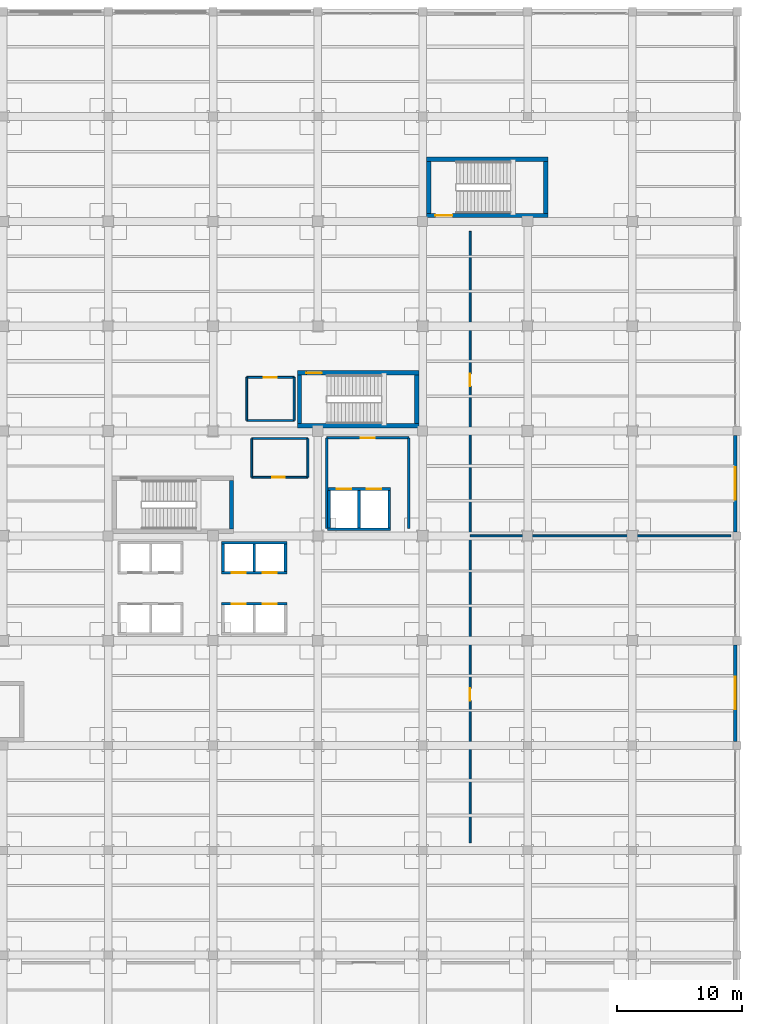
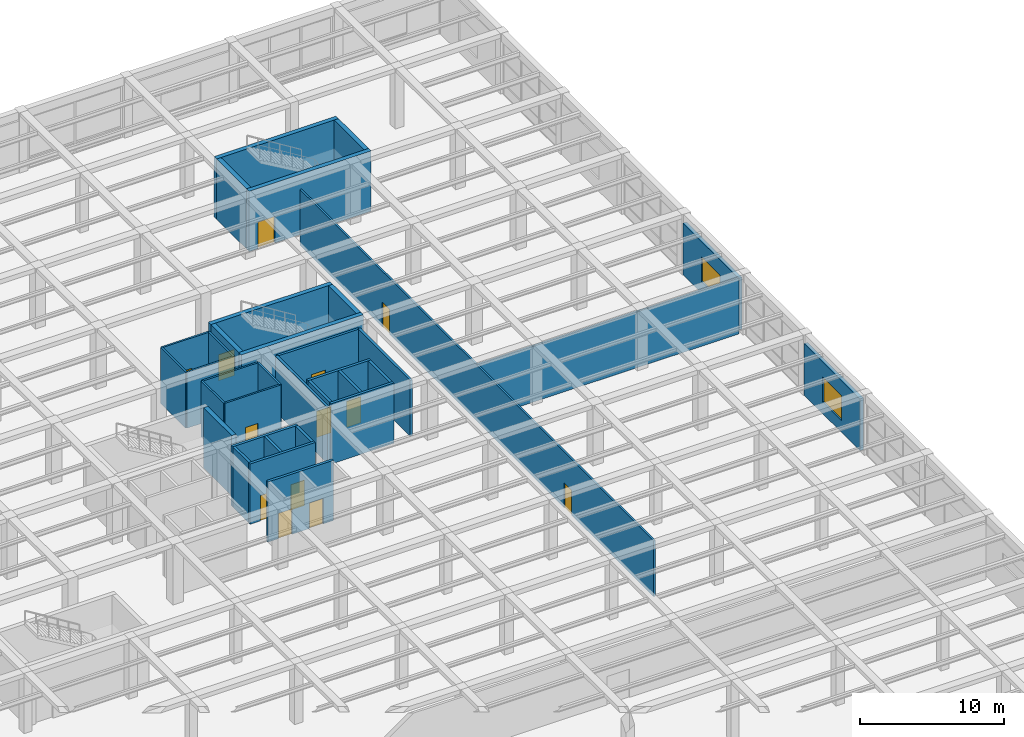
# One storey, part 82 of 96: 35 walls, 13 doors, 2 windows, 15 openings.
"""IFC4 building model written with IfcOpenShell, lengths in metres."""

from ifc_helpers import new_model, si_unit, direction, frame, frame_2d, origin, place, context, subcontext, project, spatial, rectangle, extrude, material, layer, layer_set, type_object, element, fill, save


model = new_model("IFC4")

# Units and contexts
model_context = context("Model", 3, precision=1e-05, world=origin(), true_north=direction((0.0, 1.0)))
body_context = subcontext(model_context, "Body", "Model", "MODEL_VIEW")
ifc_project = project(units=[si_unit("LENGTHUNIT", "METRE"), si_unit("AREAUNIT", "SQUARE_METRE"), si_unit("VOLUMEUNIT", "CUBIC_METRE"), si_unit("PLANEANGLEUNIT", "RADIAN"), si_unit("MASSUNIT", "GRAM", prefix="KILO")], contexts=[model_context])

# Site, building, storey
site_placement = place(None, origin())
site = spatial("IfcSite", under=ifc_project, at=site_placement, CompositionType="ELEMENT")
building_placement = place(site_placement, origin())
building = spatial("IfcBuilding", under=site, at=building_placement, Name="Almacenes y Pasaje Nevantli", CompositionType="ELEMENT")
storey_placement = place(building_placement, frame((0.0, 0.0, 6.0)))
storey = spatial("IfcBuildingStorey", under=building, at=storey_placement, Name="L02", CompositionType="ELEMENT", Elevation=6.0)

# Wall, opening, door
ifc_material_1 = material(Name="Fire-Rated Concrete Blockwork", Category="masonry")
ifc_layer_1 = layer(ifc_material_1, 0.199951171875)
ifc_layer_set_1 = layer_set([ifc_layer_1], Name="Fire-Rated Concrete Blockwork")
wall_type_1 = type_object("IfcWallType", Name="WL-COMP-200", PredefinedType="PARTITIONING", material=ifc_layer_set_1)
wall_1_placement = place(storey_placement, frame((135.10009765625, 83.449951171875, 0.0), z_axis=(0.0, 0.0, 1.0), x_axis=(1.0, 0.0, 0.0)))
wall_1 = element("IfcWall", 1, at=wall_1_placement, inside=storey, type_object=wall_type_1, Name="L02 Interior Partition Wall IW-200 #54", PredefinedType="PARTITIONING", context=body_context, shape_type="SweptSolid", body=[
    extrude(rectangle(XDim=6.599853515625, YDim=0.199951171875, at=frame_2d((3.2998046875, 0.0))), origin(), (0.0, 0.0, 1.0), 4.719970703125),
])
opening_1_placement = place(wall_1_placement, frame((2.75, 0.0, 0.0)))
opening_1 = element("IfcOpeningElement", 2, at=opening_1_placement, cuts=wall_1, Name="Opening ID-L02-027", PredefinedType="OPENING", context=body_context, shape_type="SweptSolid", body=[
    extrude(rectangle(XDim=1.10009765625, YDim=2.199951171875, at=frame_2d((0.550048828125, 1.10009765625))), frame((0.0, 0.10986328125, 0.0), z_axis=(0.0, -1.0, 0.0), x_axis=(1.0, 0.0, 0.0)), (0.0, 0.0, 1.0), 0.219970703125),
])
ifc_material_2 = material(Name="Galvanized Fire-Rated Steel", Category="steel")
door_type_1 = type_object("IfcDoorType", Name="DR-FD90-1100R", OperationType="SINGLE_SWING_RIGHT", PredefinedType="DOOR", material=ifc_material_2)
door_1_placement = place(opening_1_placement, origin())
door_1 = element("IfcDoor", 3, at=door_1_placement, inside=storey, type_object=door_type_1, Name="L02 Firefighting Lobby Door", OperationType="SINGLE_SWING_RIGHT", OverallHeight=2.199951171875, OverallWidth=1.10009765625, PredefinedType="DOOR", context=body_context, shape_type="SweptSolid", body=[
    extrude(rectangle(XDim=1.10009765625, YDim=2.199951171875, at=frame_2d((0.550048828125, 1.10009765625))), frame((0.0, 0.02490234375, 0.0), z_axis=(0.0, -1.0, 0.0), x_axis=(1.0, 0.0, 0.0)), (0.0, 0.0, 1.0), 0.050048828125),
])
fill(opening_1, door_1)

# Walls
for number, where, z_axis, x_axis, name in (
    (4, (135.10009765625, 76.199951171875, 0.0), (0.0, 0.0, 1.0), (0.0, 1.0, 0.0), "L02 Interior Partition Wall IW-200 #55"),
    (5, (141.699951171875, 76.199951171875, 0.0), (0.0, 0.0, 1.0), (0.0, 1.0, 0.0), "L02 Interior Partition Wall IW-200 #56"),
):
    element("IfcWall", number, at=place(storey_placement, frame(where, z_axis=z_axis, x_axis=x_axis)), inside=storey, type_object=wall_type_1, Name=name, PredefinedType="PARTITIONING", context=body_context, shape_type="SweptSolid", body=[
        extrude(rectangle(XDim=7.25, YDim=0.199951171875, at=frame_2d((3.625, 0.0))), origin(), (0.0, 0.0, 1.0), 4.719970703125),
    ])
ifc_material_3 = material(Name="Concrete C45/55", Category="concrete")
ifc_layer_2 = layer(ifc_material_3, 0.35009765625)
ifc_layer_set_2 = layer_set([ifc_layer_2], Name="Concrete C45/55")
wall_type_2 = type_object("IfcWallType", Name="WL-CORE-350", PredefinedType="SHEAR", material=ifc_layer_set_2)
wall_2_placement = place(storey_placement, frame((127.47509765625, 76.14990234375, 0.0), z_axis=(0.0, 0.0, 1.0), x_axis=(0.0, 1.0, 0.0)))
element("IfcWall", 6, at=wall_2_placement, inside=storey, type_object=wall_type_2, Name="L02 Exit Stair ST-01 East Core Shear Wall", PredefinedType="SHEAR", context=body_context, shape_type="SweptSolid", body=[
    extrude(rectangle(XDim=3.89013671875, YDim=0.35009765625, at=frame_2d((1.945068359375, 0.0))), origin(), (0.0, 0.0, 1.0), 5.10009765625),
])
wall_3_placement = place(storey_placement, frame((132.75, 84.425048828125, 0.0), z_axis=(0.0, 0.0, 1.0), x_axis=(1.0, 0.0, 0.0)))
element("IfcWall", 7, at=wall_3_placement, inside=storey, type_object=wall_type_2, Name="L02 Exit Stair ST-02 South Core Shear Wall", PredefinedType="SHEAR", context=body_context, shape_type="SweptSolid", body=[
    extrude(rectangle(XDim=9.75, YDim=0.35009765625, at=frame_2d((4.875, 0.0))), origin(), (0.0, 0.0, 1.0), 5.10009765625),
])

# Wall, opening, door
wall_4_placement = place(storey_placement, frame((132.75, 88.6650390625, 0.0), z_axis=(0.0, 0.0, 1.0), x_axis=(1.0, 0.0, 0.0)))
wall_4 = element("IfcWall", 8, at=wall_4_placement, inside=storey, type_object=wall_type_2, Name="L02 Exit Stair ST-02 North Core Shear Wall", PredefinedType="SHEAR", context=body_context, shape_type="SweptSolid", body=[
    extrude(rectangle(XDim=9.75, YDim=0.35009765625, at=frame_2d((4.875, 0.0))), origin(), (0.0, 0.0, 1.0), 5.10009765625),
])
opening_2_placement = place(wall_4_placement, frame((0.719970703125, 0.0, 0.0)))
opening_2 = element("IfcOpeningElement", 9, at=opening_2_placement, cuts=wall_4, Name="Opening SD-02-L02", PredefinedType="OPENING", context=body_context, shape_type="SweptSolid", body=[
    extrude(rectangle(XDim=1.25, YDim=2.199951171875, at=frame_2d((0.625, 1.10009765625))), frame((0.0, 0.18505859375, 0.0), z_axis=(0.0, -1.0, 0.0), x_axis=(1.0, 0.0, 0.0)), (0.0, 0.0, 1.0), 0.3701171875),
])
ifc_material_4 = material(Name="Galvanized Fire-Rated Steel", Category="steel")
door_type_2 = type_object("IfcDoorType", Name="DR-STAIR-1250R", OperationType="SINGLE_SWING_RIGHT", PredefinedType="DOOR", material=ifc_material_4)
door_2_placement = place(opening_2_placement, origin())
door_2 = element("IfcDoor", 10, at=door_2_placement, inside=storey, type_object=door_type_2, Name="L02 Smokeproof Exit Stair ST-02 Fire Door", OperationType="SINGLE_SWING_RIGHT", OverallHeight=2.199951171875, OverallWidth=1.25, PredefinedType="DOOR", context=body_context, shape_type="SweptSolid", body=[
    extrude(rectangle(XDim=1.25, YDim=2.199951171875, at=frame_2d((0.625, 1.10009765625))), frame((0.0, 0.02490234375, 0.0), z_axis=(0.0, -1.0, 0.0), x_axis=(1.0, 0.0, 0.0)), (0.0, 0.0, 1.0), 0.050048828125),
])
fill(opening_2, door_2)

# Walls
for number, where, z_axis, x_axis, name in (
    (11, (132.925048828125, 84.60009765625, 0.0), (0.0, 0.0, 1.0), (0.0, 1.0, 0.0), "L02 Exit Stair ST-02 West Core Shear Wall"),
    (12, (142.324951171875, 84.60009765625, 0.0), (0.0, 0.0, 1.0), (0.0, 1.0, 0.0), "L02 Exit Stair ST-02 East Core Shear Wall"),
):
    element("IfcWall", number, at=place(storey_placement, frame(where, z_axis=z_axis, x_axis=x_axis)), inside=storey, type_object=wall_type_2, Name=name, PredefinedType="SHEAR", context=body_context, shape_type="SweptSolid", body=[
        extrude(rectangle(XDim=3.889892578125, YDim=0.35009765625, at=frame_2d((1.94482421875, 0.0))), origin(), (0.0, 0.0, 1.0), 5.10009765625),
    ])

# Wall, opening, door
wall_5_placement = place(storey_placement, frame((143.10009765625, 101.27490234375, 0.0), z_axis=(0.0, 0.0, 1.0), x_axis=(1.0, 0.0, 0.0)))
wall_5 = element("IfcWall", 13, at=wall_5_placement, inside=storey, type_object=wall_type_2, Name="L02 Exit Stair ST-07 South Core Shear Wall", PredefinedType="SHEAR", context=body_context, shape_type="SweptSolid", body=[
    extrude(rectangle(XDim=9.75, YDim=0.35009765625, at=frame_2d((4.875, 0.0))), origin(), (0.0, 0.0, 1.0), 5.10009765625),
])
opening_3_placement = place(wall_5_placement, frame((0.719970703125, 0.0, 0.0)))
opening_3 = element("IfcOpeningElement", 14, at=opening_3_placement, cuts=wall_5, Name="Opening SD-07-L02", PredefinedType="OPENING", context=body_context, shape_type="SweptSolid", body=[
    extrude(rectangle(XDim=1.35009765625, YDim=2.25, at=frame_2d((0.675048828125, 1.125))), frame((0.0, 0.18505859375, 0.0), z_axis=(0.0, -1.0, 0.0), x_axis=(1.0, 0.0, 0.0)), (0.0, 0.0, 1.0), 0.3701171875),
])
ifc_material_5 = material(Name="Galvanized Fire-Rated Steel", Category="steel")
door_type_3 = type_object("IfcDoorType", Name="DR-STAIR-1350", OperationType="SINGLE_SWING_LEFT", PredefinedType="DOOR", material=ifc_material_5)
door_3_placement = place(opening_3_placement, origin())
door_3 = element("IfcDoor", 15, at=door_3_placement, inside=storey, type_object=door_type_3, Name="L02 Smokeproof Exit Stair ST-07 Fire Door", OperationType="SINGLE_SWING_LEFT", OverallHeight=2.25, OverallWidth=1.35009765625, PredefinedType="DOOR", context=body_context, shape_type="SweptSolid", body=[
    extrude(rectangle(XDim=1.35009765625, YDim=2.25, at=frame_2d((0.675048828125, 1.125))), frame((0.0, 0.02490234375, 0.0), z_axis=(0.0, -1.0, 0.0), x_axis=(1.0, 0.0, 0.0)), (0.0, 0.0, 1.0), 0.050048828125),
])
fill(opening_3, door_3)

# Walls
wall_6_placement = place(storey_placement, frame((143.10009765625, 105.77490234375, 0.0), z_axis=(0.0, 0.0, 1.0), x_axis=(1.0, 0.0, 0.0)))
element("IfcWall", 16, at=wall_6_placement, inside=storey, type_object=wall_type_2, Name="L02 Exit Stair ST-07 North Core Shear Wall", PredefinedType="SHEAR", context=body_context, shape_type="SweptSolid", body=[
    extrude(rectangle(XDim=9.75, YDim=0.35009765625, at=frame_2d((4.875, 0.0))), origin(), (0.0, 0.0, 1.0), 5.10009765625),
])
for number, where, z_axis, x_axis, name in (
    (17, (143.27490234375, 101.449951171875, 0.0), (0.0, 0.0, 1.0), (0.0, 1.0, 0.0), "L02 Exit Stair ST-07 West Core Shear Wall"),
    (18, (152.675048828125, 101.449951171875, 0.0), (0.0, 0.0, 1.0), (0.0, 1.0, 0.0), "L02 Exit Stair ST-07 East Core Shear Wall"),
):
    element("IfcWall", number, at=place(storey_placement, frame(where, z_axis=z_axis, x_axis=x_axis)), inside=storey, type_object=wall_type_2, Name=name, PredefinedType="SHEAR", context=body_context, shape_type="SweptSolid", body=[
        extrude(rectangle(XDim=4.150146484375, YDim=0.35009765625, at=frame_2d((2.0751953125, 0.0))), origin(), (0.0, 0.0, 1.0), 5.10009765625),
    ])

# Wall, opening, window
ifc_material_6 = material(Name="Architectural Precast Concrete C35/45 Spandrel Wall", Category="concrete")
ifc_layer_3 = layer(ifc_material_6, 0.280029296875)
ifc_layer_set_3 = layer_set([ifc_layer_3], Name="Architectural Precast Concrete C35/45 Spandrel Wall")
wall_type_3 = type_object("IfcWallType", Name="WL-EXT-CANTERA-280", PredefinedType="SOLIDWALL", material=ifc_layer_set_3)
wall_7_placement = place(storey_placement, frame((167.85009765625, 59.1279296875, 0.0), z_axis=(0.0, 0.0, 1.0), x_axis=(0.0, 1.0, 0.0)))
wall_7 = element("IfcWall", 19, at=wall_7_placement, inside=storey, type_object=wall_type_3, Name="L02 East Facade Wall Bay 8", PredefinedType="SOLIDWALL", context=body_context, shape_type="SweptSolid", body=[
    extrude(rectangle(XDim=7.719970703125, YDim=0.280029296875, at=frame_2d((3.85986328125, 0.0))), origin(), (0.0, 0.0, 1.0), 4.3798828125),
])
opening_4_placement = place(wall_7_placement, frame((2.572021484375, 0.0, 1.0)))
opening_4 = element("IfcOpeningElement", 20, at=opening_4_placement, cuts=wall_7, Name="Opening WT-13-086", PredefinedType="OPENING", context=body_context, shape_type="SweptSolid", body=[
    extrude(rectangle(XDim=2.60009765625, YDim=2.10009765625, at=frame_2d((1.300048828125, 1.050048828125))), frame((0.0, 0.14990234375, 0.0), z_axis=(0.0, -1.0, 0.0), x_axis=(1.0, 0.0, 0.0)), (0.0, 0.0, 1.0), 0.300048828125),
])
ifc_material_7 = material(Name="Thermally Broken Aluminium and Low-E Double Glazing", Category="aluminium")
window_type = type_object("IfcWindowType", Name="WN-POD-2600x2100", PartitioningType="SINGLE_PANEL", PredefinedType="WINDOW", material=ifc_material_7)
window_1_placement = place(opening_4_placement, origin())
window_1 = element("IfcWindow", 21, at=window_1_placement, inside=storey, type_object=window_type, Name="L02 Exterior Window WT-13 #86", OverallHeight=2.10009765625, OverallWidth=2.60009765625, PartitioningType="SINGLE_PANEL", PredefinedType="WINDOW", context=body_context, shape_type="SweptSolid", body=[
    extrude(rectangle(XDim=2.60009765625, YDim=2.10009765625, at=frame_2d((1.300048828125, 1.050048828125))), frame((0.0, 0.030029296875, 0.0), z_axis=(0.0, -1.0, 0.0), x_axis=(1.0, 0.0, 0.0)), (0.0, 0.0, 1.0), 0.06005859375),
])
fill(opening_4, window_1)

wall_8_placement = place(storey_placement, frame((167.85009765625, 75.927978515625, 0.0), z_axis=(0.0, 0.0, 1.0), x_axis=(0.0, 1.0, 0.0)))
wall_8 = element("IfcWall", 22, at=wall_8_placement, inside=storey, type_object=wall_type_3, Name="L02 East Facade Wall Bay 10", PredefinedType="SOLIDWALL", context=body_context, shape_type="SweptSolid", body=[
    extrude(rectangle(XDim=7.719970703125, YDim=0.280029296875, at=frame_2d((3.85986328125, 0.0))), origin(), (0.0, 0.0, 1.0), 4.3798828125),
])
opening_5_placement = place(wall_8_placement, frame((2.572021484375, 0.0, 1.0)))
opening_5 = element("IfcOpeningElement", 23, at=opening_5_placement, cuts=wall_8, Name="Opening WT-13-087", PredefinedType="OPENING", context=body_context, shape_type="SweptSolid", body=[
    extrude(rectangle(XDim=2.60009765625, YDim=2.10009765625, at=frame_2d((1.300048828125, 1.050048828125))), frame((0.0, 0.14990234375, 0.0), z_axis=(0.0, -1.0, 0.0), x_axis=(1.0, 0.0, 0.0)), (0.0, 0.0, 1.0), 0.300048828125),
])
window_2_placement = place(opening_5_placement, origin())
window_2 = element("IfcWindow", 24, at=window_2_placement, inside=storey, type_object=window_type, Name="L02 Exterior Window WT-13 #87", OverallHeight=2.10009765625, OverallWidth=2.60009765625, PartitioningType="SINGLE_PANEL", PredefinedType="WINDOW", context=body_context, shape_type="SweptSolid", body=[
    extrude(rectangle(XDim=2.60009765625, YDim=2.10009765625, at=frame_2d((1.300048828125, 1.050048828125))), frame((0.0, 0.030029296875, 0.0), z_axis=(0.0, -1.0, 0.0), x_axis=(1.0, 0.0, 0.0)), (0.0, 0.0, 1.0), 0.06005859375),
])
fill(opening_5, window_2)

# Wall, opening, door
ifc_material_8 = material(Name="Acoustic Steel-Stud Gypsum Partition", Category="steel")
ifc_layer_4 = layer(ifc_material_8, 0.14990234375)
ifc_layer_set_4 = layer_set([ifc_layer_4], Name="Acoustic Steel-Stud Gypsum Partition")
wall_type_4 = type_object("IfcWallType", Name="WL-PART-150", PredefinedType="PARTITIONING", material=ifc_layer_set_4)
wall_9_placement = place(storey_placement, frame((129.10009765625, 80.300048828125, 0.0), z_axis=(0.0, 0.0, 1.0), x_axis=(1.0, 0.0, 0.0)))
wall_9 = element("IfcWall", 25, at=wall_9_placement, inside=storey, type_object=wall_type_4, Name="L02 Interior Partition Wall IW-150 #57", PredefinedType="PARTITIONING", context=body_context, shape_type="SweptSolid", body=[
    extrude(rectangle(XDim=4.5, YDim=0.14990234375, at=frame_2d((2.25, 0.0))), origin(), (0.0, 0.0, 1.0), 4.719970703125),
])
opening_6_placement = place(wall_9_placement, frame((1.64990234375, 0.0, 0.0)))
opening_6 = element("IfcOpeningElement", 26, at=opening_6_placement, cuts=wall_9, Name="Opening ID-L02-028", PredefinedType="OPENING", context=body_context, shape_type="SweptSolid", body=[
    extrude(rectangle(XDim=1.0, YDim=2.10009765625, at=frame_2d((0.5, 1.050048828125))), frame((0.0, 0.0849609375, 0.0), z_axis=(0.0, -1.0, 0.0), x_axis=(1.0, 0.0, 0.0)), (0.0, 0.0, 1.0), 0.169921875),
])
ifc_material_9 = material(Name="Powder-Coated Hollow Metal", Category="steel")
door_type_4 = type_object("IfcDoorType", Name="DR-INT-1000", OperationType="SINGLE_SWING_LEFT", PredefinedType="DOOR", material=ifc_material_9)
door_4_placement = place(opening_6_placement, origin())
door_4 = element("IfcDoor", 27, at=door_4_placement, inside=storey, type_object=door_type_4, Name="L02 Staff and Public WC Door", OperationType="SINGLE_SWING_LEFT", OverallHeight=2.10009765625, OverallWidth=1.0, PredefinedType="DOOR", context=body_context, shape_type="SweptSolid", body=[
    extrude(rectangle(XDim=1.0, YDim=2.10009765625, at=frame_2d((0.5, 1.050048828125))), frame((0.0, 0.02490234375, 0.0), z_axis=(0.0, -1.0, 0.0), x_axis=(1.0, 0.0, 0.0)), (0.0, 0.0, 1.0), 0.050048828125),
])
fill(opening_6, door_4)

# Walls
wall_10_placement = place(storey_placement, frame((129.10009765625, 83.39990234375, 0.0), z_axis=(0.0, 0.0, 1.0), x_axis=(1.0, 0.0, 0.0)))
element("IfcWall", 28, at=wall_10_placement, inside=storey, type_object=wall_type_4, Name="L02 Interior Partition Wall IW-150 #58", PredefinedType="PARTITIONING", context=body_context, shape_type="SweptSolid", body=[
    extrude(rectangle(XDim=4.5, YDim=0.14990234375, at=frame_2d((2.25, 0.0))), origin(), (0.0, 0.0, 1.0), 4.719970703125),
])
for number, where, z_axis, x_axis, name in (
    (29, (129.10009765625, 80.300048828125, 0.0), (0.0, 0.0, 1.0), (0.0, 1.0, 0.0), "L02 Interior Partition Wall IW-150 #59"),
    (30, (133.60009765625, 80.300048828125, 0.0), (0.0, 0.0, 1.0), (0.0, 1.0, 0.0), "L02 Interior Partition Wall IW-150 #60"),
):
    element("IfcWall", number, at=place(storey_placement, frame(where, z_axis=z_axis, x_axis=x_axis)), inside=storey, type_object=wall_type_4, Name=name, PredefinedType="PARTITIONING", context=body_context, shape_type="SweptSolid", body=[
        extrude(rectangle(XDim=3.099853515625, YDim=0.14990234375, at=frame_2d((1.5498046875, 0.0))), origin(), (0.0, 0.0, 1.0), 4.719970703125),
    ])

# Wall, opening, door
wall_11_placement = place(storey_placement, frame((128.699951171875, 88.300048828125, 0.0), z_axis=(0.0, 0.0, 1.0), x_axis=(1.0, 0.0, 0.0)))
wall_11 = element("IfcWall", 31, at=wall_11_placement, inside=storey, type_object=wall_type_4, Name="L02 Interior Partition Wall IW-150 #61", PredefinedType="PARTITIONING", context=body_context, shape_type="SweptSolid", body=[
    extrude(rectangle(XDim=3.800048828125, YDim=0.14990234375, at=frame_2d((1.89990234375, 0.0))), origin(), (0.0, 0.0, 1.0), 4.719970703125),
])
opening_7_placement = place(wall_11_placement, frame((1.35009765625, 0.0, 0.0)))
opening_7 = element("IfcOpeningElement", 32, at=opening_7_placement, cuts=wall_11, Name="Opening ID-L02-029", PredefinedType="OPENING", context=body_context, shape_type="SweptSolid", body=[
    extrude(rectangle(XDim=1.050048828125, YDim=2.14990234375, at=frame_2d((0.52490234375, 1.074951171875))), frame((0.0, 0.0849609375, 0.0), z_axis=(0.0, -1.0, 0.0), x_axis=(1.0, 0.0, 0.0)), (0.0, 0.0, 1.0), 0.169921875),
])
ifc_material_10 = material(Name="Powder-Coated Hollow Metal", Category="steel")
door_type_5 = type_object("IfcDoorType", Name="DR-ACC-1050", OperationType="SINGLE_SWING_RIGHT", PredefinedType="DOOR", material=ifc_material_10)
door_5_placement = place(opening_7_placement, origin())
door_5 = element("IfcDoor", 33, at=door_5_placement, inside=storey, type_object=door_type_5, Name="L02 Accessible WC Door", OperationType="SINGLE_SWING_RIGHT", OverallHeight=2.14990234375, OverallWidth=1.050048828125, PredefinedType="DOOR", context=body_context, shape_type="SweptSolid", body=[
    extrude(rectangle(XDim=1.050048828125, YDim=2.14990234375, at=frame_2d((0.52490234375, 1.074951171875))), frame((0.0, 0.02490234375, 0.0), z_axis=(0.0, -1.0, 0.0), x_axis=(1.0, 0.0, 0.0)), (0.0, 0.0, 1.0), 0.050048828125),
])
fill(opening_7, door_5)

# Walls
wall_12_placement = place(storey_placement, frame((128.699951171875, 84.85009765625, 0.0), z_axis=(0.0, 0.0, 1.0), x_axis=(1.0, 0.0, 0.0)))
element("IfcWall", 34, at=wall_12_placement, inside=storey, type_object=wall_type_4, Name="L02 Interior Partition Wall IW-150 #62", PredefinedType="PARTITIONING", context=body_context, shape_type="SweptSolid", body=[
    extrude(rectangle(XDim=3.800048828125, YDim=0.14990234375, at=frame_2d((1.89990234375, 0.0))), origin(), (0.0, 0.0, 1.0), 4.719970703125),
])
for number, where, z_axis, x_axis, name in (
    (35, (128.699951171875, 84.85009765625, 0.0), (0.0, 0.0, 1.0), (0.0, 1.0, 0.0), "L02 Interior Partition Wall IW-150 #63"),
    (36, (132.5, 84.85009765625, 0.0), (0.0, 0.0, 1.0), (0.0, 1.0, 0.0), "L02 Interior Partition Wall IW-150 #64"),
):
    element("IfcWall", number, at=place(storey_placement, frame(where, z_axis=z_axis, x_axis=x_axis)), inside=storey, type_object=wall_type_4, Name=name, PredefinedType="PARTITIONING", context=body_context, shape_type="SweptSolid", body=[
        extrude(rectangle(XDim=3.449951171875, YDim=0.14990234375, at=frame_2d((1.72509765625, 0.0))), origin(), (0.0, 0.0, 1.0), 4.719970703125),
    ])

# Wall, openings, doors
wall_13_placement = place(storey_placement, frame((146.60009765625, 51.0, 0.0), z_axis=(0.0, 0.0, 1.0), x_axis=(0.0, 1.0, 0.0)))
wall_13 = element("IfcWall", 37, at=wall_13_placement, inside=storey, type_object=wall_type_4, Name="L02 Interior Partition Wall IW-150 #66", PredefinedType="PARTITIONING", context=body_context, shape_type="SweptSolid", body=[
    extrude(rectangle(XDim=49.0, YDim=0.14990234375, at=frame_2d((24.5, 0.0))), origin(), (0.0, 0.0, 1.0), 4.719970703125),
])
opening_8_placement = place(wall_13_placement, frame((11.39990234375, 0.0, 0.0)))
opening_8 = element("IfcOpeningElement", 38, at=opening_8_placement, cuts=wall_13, Name="Opening ID-L02-032", PredefinedType="OPENING", context=body_context, shape_type="SweptSolid", body=[
    extrude(rectangle(XDim=1.0, YDim=2.10009765625, at=frame_2d((0.5, 1.050048828125))), frame((0.0, 0.0849609375, 0.0), z_axis=(0.0, -1.0, 0.0), x_axis=(1.0, 0.0, 0.0)), (0.0, 0.0, 1.0), 0.169921875),
])
opening_9_placement = place(wall_13_placement, frame((36.60009765625, 0.0, 0.0)))
opening_9 = element("IfcOpeningElement", 39, at=opening_9_placement, cuts=wall_13, Name="Opening ID-L02-033", PredefinedType="OPENING", context=body_context, shape_type="SweptSolid", body=[
    extrude(rectangle(XDim=1.0, YDim=2.10009765625, at=frame_2d((0.5, 1.050048828125))), frame((0.0, 0.0849609375, 0.0), z_axis=(0.0, -1.0, 0.0), x_axis=(1.0, 0.0, 0.0)), (0.0, 0.0, 1.0), 0.169921875),
])
door_6_placement = place(opening_8_placement, origin())
door_6 = element("IfcDoor", 40, at=door_6_placement, inside=storey, type_object=door_type_4, Name="L02 L02 Operations Office Door", OperationType="SINGLE_SWING_LEFT", OverallHeight=2.10009765625, OverallWidth=1.0, PredefinedType="DOOR", context=body_context, shape_type="SweptSolid", body=[
    extrude(rectangle(XDim=1.0, YDim=2.10009765625, at=frame_2d((0.5, 1.050048828125))), frame((0.0, 0.02490234375, 0.0), z_axis=(0.0, -1.0, 0.0), x_axis=(1.0, 0.0, 0.0)), (0.0, 0.0, 1.0), 0.050048828125),
])
fill(opening_8, door_6)
ifc_material_11 = material(Name="Powder-Coated Hollow Metal", Category="steel")
door_type_6 = type_object("IfcDoorType", Name="DR-INT-1000R", OperationType="SINGLE_SWING_RIGHT", PredefinedType="DOOR", material=ifc_material_11)
door_7_placement = place(opening_9_placement, origin())
door_7 = element("IfcDoor", 41, at=door_7_placement, inside=storey, type_object=door_type_6, Name="L02 L02 Merchandising Office Door", OperationType="SINGLE_SWING_RIGHT", OverallHeight=2.10009765625, OverallWidth=1.0, PredefinedType="DOOR", context=body_context, shape_type="SweptSolid", body=[
    extrude(rectangle(XDim=1.0, YDim=2.10009765625, at=frame_2d((0.5, 1.050048828125))), frame((0.0, 0.02490234375, 0.0), z_axis=(0.0, -1.0, 0.0), x_axis=(1.0, 0.0, 0.0)), (0.0, 0.0, 1.0), 0.050048828125),
])
fill(opening_9, door_7)

# Wall
wall_14_placement = place(storey_placement, frame((146.60009765625, 75.60009765625, 0.0), z_axis=(0.0, 0.0, 1.0), x_axis=(1.0, 0.0, 0.0)))
element("IfcWall", 42, at=wall_14_placement, inside=storey, type_object=wall_type_4, Name="L02 Interior Partition Wall IW-150 #67", PredefinedType="PARTITIONING", context=body_context, shape_type="SweptSolid", body=[
    extrude(rectangle(XDim=20.89990234375, YDim=0.14990234375, at=frame_2d((10.449951171875, 0.0))), origin(), (0.0, 0.0, 1.0), 4.719970703125),
])

# Wall, openings, doors
ifc_material_12 = material(Name="Concrete C45/55", Category="concrete")
ifc_layer_5 = layer(ifc_material_12, 0.2099609375)
ifc_layer_set_5 = layer_set([ifc_layer_5], Name="Concrete C45/55")
wall_type_5 = type_object("IfcWallType", Name="WL-SHAFT-210", PredefinedType="SHEAR", material=ifc_layer_set_5)
wall_15_placement = place(storey_placement, frame((126.68994140625, 70.155029296875, 0.0), z_axis=(0.0, 0.0, 1.0), x_axis=(1.0, 0.0, 0.0)))
wall_15 = element("IfcWall", 43, at=wall_15_placement, inside=storey, type_object=wall_type_5, Name="L02 Lift Hoistway ELV-P01-ELV-P02 North Wall", PredefinedType="SHEAR", context=body_context, shape_type="SweptSolid", body=[
    extrude(rectangle(XDim=5.219970703125, YDim=0.2099609375, at=frame_2d((2.60986328125, 0.0))), origin(), (0.0, 0.0, 1.0), 5.10009765625),
])
opening_10_placement = place(wall_15_placement, frame((0.81005859375, 0.0, 0.0)))
opening_10 = element("IfcOpeningElement", 44, at=opening_10_placement, cuts=wall_15, Name="Opening LD-P01-L02", PredefinedType="OPENING", context=body_context, shape_type="SweptSolid", body=[
    extrude(rectangle(XDim=1.10009765625, YDim=2.14990234375, at=frame_2d((0.550048828125, 1.074951171875))), frame((0.0, 0.114990234375, 0.0), z_axis=(0.0, -1.0, 0.0), x_axis=(1.0, 0.0, 0.0)), (0.0, 0.0, 1.0), 0.22998046875),
])
opening_11_placement = place(wall_15_placement, frame((3.31005859375, 0.0, 0.0)))
opening_11 = element("IfcOpeningElement", 45, at=opening_11_placement, cuts=wall_15, Name="Opening LD-P02-L02", PredefinedType="OPENING", context=body_context, shape_type="SweptSolid", body=[
    extrude(rectangle(XDim=1.10009765625, YDim=2.14990234375, at=frame_2d((0.550048828125, 1.074951171875))), frame((0.0, 0.114990234375, 0.0), z_axis=(0.0, -1.0, 0.0), x_axis=(1.0, 0.0, 0.0)), (0.0, 0.0, 1.0), 0.22998046875),
])
ifc_material_13 = material(Name="Brushed Stainless Steel", Category="steel")
door_type_7 = type_object("IfcDoorType", Name="DR-LD-PASS-1100", OperationType="DOUBLE_DOOR_SLIDING", PredefinedType="DOOR", material=ifc_material_13)
door_8_placement = place(opening_10_placement, origin())
door_8 = element("IfcDoor", 46, at=door_8_placement, inside=storey, type_object=door_type_7, Name="Lift Landing Door ELV-P01 L02", OperationType="DOUBLE_DOOR_SLIDING", OverallHeight=2.14990234375, OverallWidth=1.10009765625, PredefinedType="DOOR", context=body_context, shape_type="SweptSolid", body=[
    extrude(rectangle(XDim=1.10009765625, YDim=2.14990234375, at=frame_2d((0.550048828125, 1.074951171875))), frame((0.0, 0.02490234375, 0.0), z_axis=(0.0, -1.0, 0.0), x_axis=(1.0, 0.0, 0.0)), (0.0, 0.0, 1.0), 0.050048828125),
])
fill(opening_10, door_8)
door_9_placement = place(opening_11_placement, origin())
door_9 = element("IfcDoor", 47, at=door_9_placement, inside=storey, type_object=door_type_7, Name="Lift Landing Door ELV-P02 L02", OperationType="DOUBLE_DOOR_SLIDING", OverallHeight=2.14990234375, OverallWidth=1.10009765625, PredefinedType="DOOR", context=body_context, shape_type="SweptSolid", body=[
    extrude(rectangle(XDim=1.10009765625, YDim=2.14990234375, at=frame_2d((0.550048828125, 1.074951171875))), frame((0.0, 0.02490234375, 0.0), z_axis=(0.0, -1.0, 0.0), x_axis=(1.0, 0.0, 0.0)), (0.0, 0.0, 1.0), 0.050048828125),
])
fill(opening_11, door_9)

wall_16_placement = place(storey_placement, frame((126.68994140625, 72.64501953125, 0.0), z_axis=(0.0, 0.0, 1.0), x_axis=(1.0, 0.0, 0.0)))
wall_16 = element("IfcWall", 48, at=wall_16_placement, inside=storey, type_object=wall_type_5, Name="L02 Lift Hoistway ELV-P03-ELV-P04 South Wall", PredefinedType="SHEAR", context=body_context, shape_type="SweptSolid", body=[
    extrude(rectangle(XDim=5.219970703125, YDim=0.2099609375, at=frame_2d((2.60986328125, 0.0))), origin(), (0.0, 0.0, 1.0), 5.10009765625),
])
opening_12_placement = place(wall_16_placement, frame((0.81005859375, 0.0, 0.0)))
opening_12 = element("IfcOpeningElement", 49, at=opening_12_placement, cuts=wall_16, Name="Opening LD-P03-L02", PredefinedType="OPENING", context=body_context, shape_type="SweptSolid", body=[
    extrude(rectangle(XDim=1.10009765625, YDim=2.14990234375, at=frame_2d((0.550048828125, 1.074951171875))), frame((0.0, 0.114990234375, 0.0), z_axis=(0.0, -1.0, 0.0), x_axis=(1.0, 0.0, 0.0)), (0.0, 0.0, 1.0), 0.22998046875),
])
opening_13_placement = place(wall_16_placement, frame((3.31005859375, 0.0, 0.0)))
opening_13 = element("IfcOpeningElement", 50, at=opening_13_placement, cuts=wall_16, Name="Opening LD-P04-L02", PredefinedType="OPENING", context=body_context, shape_type="SweptSolid", body=[
    extrude(rectangle(XDim=1.10009765625, YDim=2.14990234375, at=frame_2d((0.550048828125, 1.074951171875))), frame((0.0, 0.114990234375, 0.0), z_axis=(0.0, -1.0, 0.0), x_axis=(1.0, 0.0, 0.0)), (0.0, 0.0, 1.0), 0.22998046875),
])
door_10_placement = place(opening_12_placement, origin())
door_10 = element("IfcDoor", 51, at=door_10_placement, inside=storey, type_object=door_type_7, Name="Lift Landing Door ELV-P03 L02", OperationType="DOUBLE_DOOR_SLIDING", OverallHeight=2.14990234375, OverallWidth=1.10009765625, PredefinedType="DOOR", context=body_context, shape_type="SweptSolid", body=[
    extrude(rectangle(XDim=1.10009765625, YDim=2.14990234375, at=frame_2d((0.550048828125, 1.074951171875))), frame((0.0, 0.02490234375, 0.0), z_axis=(0.0, -1.0, 0.0), x_axis=(1.0, 0.0, 0.0)), (0.0, 0.0, 1.0), 0.050048828125),
])
fill(opening_12, door_10)
door_11_placement = place(opening_13_placement, origin())
door_11 = element("IfcDoor", 52, at=door_11_placement, inside=storey, type_object=door_type_7, Name="Lift Landing Door ELV-P04 L02", OperationType="DOUBLE_DOOR_SLIDING", OverallHeight=2.14990234375, OverallWidth=1.10009765625, PredefinedType="DOOR", context=body_context, shape_type="SweptSolid", body=[
    extrude(rectangle(XDim=1.10009765625, YDim=2.14990234375, at=frame_2d((0.550048828125, 1.074951171875))), frame((0.0, 0.02490234375, 0.0), z_axis=(0.0, -1.0, 0.0), x_axis=(1.0, 0.0, 0.0)), (0.0, 0.0, 1.0), 0.050048828125),
])
fill(opening_13, door_11)

# Walls
wall_17_placement = place(storey_placement, frame((126.68994140625, 75.054931640625, 0.0), z_axis=(0.0, 0.0, 1.0), x_axis=(1.0, 0.0, 0.0)))
element("IfcWall", 53, at=wall_17_placement, inside=storey, type_object=wall_type_5, Name="L02 Lift Hoistway ELV-P03-ELV-P04 North Wall", PredefinedType="SHEAR", context=body_context, shape_type="SweptSolid", body=[
    extrude(rectangle(XDim=5.219970703125, YDim=0.2099609375, at=frame_2d((2.60986328125, 0.0))), origin(), (0.0, 0.0, 1.0), 5.10009765625),
])
for number, where, z_axis, x_axis, name in (
    (54, (126.794921875, 72.75, 0.0), (0.0, 0.0, 1.0), (0.0, 1.0, 0.0), "L02 Lift Hoistway ELV-P03 West Wall"),
    (55, (131.804931640625, 72.75, 0.0), (0.0, 0.0, 1.0), (0.0, 1.0, 0.0), "L02 Lift Hoistway ELV-P04 East Wall"),
    (56, (129.300048828125, 72.75, 0.0), (0.0, 0.0, 1.0), (0.0, 1.0, 0.0), "L02 Lift Hoistway Divider Wall ELV-P03/ELV-P04"),
):
    element("IfcWall", number, at=place(storey_placement, frame(where, z_axis=z_axis, x_axis=x_axis)), inside=storey, type_object=wall_type_5, Name=name, PredefinedType="SHEAR", context=body_context, shape_type="SweptSolid", body=[
        extrude(rectangle(XDim=2.199951171875, YDim=0.2099609375, at=frame_2d((1.10009765625, 0.0))), origin(), (0.0, 0.0, 1.0), 5.10009765625),
    ])
wall_18_placement = place(storey_placement, frame((135.18994140625, 76.14501953125, 0.0), z_axis=(0.0, 0.0, 1.0), x_axis=(1.0, 0.0, 0.0)))
element("IfcWall", 57, at=wall_18_placement, inside=storey, type_object=wall_type_5, Name="L02 Lift Hoistway ELV-FF1-ELV-FF2 South Wall", PredefinedType="SHEAR", context=body_context, shape_type="SweptSolid", body=[
    extrude(rectangle(XDim=5.02001953125, YDim=0.2099609375, at=frame_2d((2.510009765625, 0.0))), origin(), (0.0, 0.0, 1.0), 5.10009765625),
])

# Wall, openings, doors
wall_19_placement = place(storey_placement, frame((135.18994140625, 79.35498046875, 0.0), z_axis=(0.0, 0.0, 1.0), x_axis=(1.0, 0.0, 0.0)))
wall_19 = element("IfcWall", 58, at=wall_19_placement, inside=storey, type_object=wall_type_5, Name="L02 Lift Hoistway ELV-FF1-ELV-FF2 North Wall", PredefinedType="SHEAR", context=body_context, shape_type="SweptSolid", body=[
    extrude(rectangle(XDim=5.02001953125, YDim=0.2099609375, at=frame_2d((2.510009765625, 0.0))), origin(), (0.0, 0.0, 1.0), 5.10009765625),
])
opening_14_placement = place(wall_19_placement, frame((0.735107421875, 0.0, 0.0)))
opening_14 = element("IfcOpeningElement", 59, at=opening_14_placement, cuts=wall_19, Name="Opening LD-FF1-L02", PredefinedType="OPENING", context=body_context, shape_type="SweptSolid", body=[
    extrude(rectangle(XDim=1.14990234375, YDim=2.199951171875, at=frame_2d((0.574951171875, 1.10009765625))), frame((0.0, 0.114990234375, 0.0), z_axis=(0.0, -1.0, 0.0), x_axis=(1.0, 0.0, 0.0)), (0.0, 0.0, 1.0), 0.22998046875),
])
opening_15_placement = place(wall_19_placement, frame((3.135009765625, 0.0, 0.0)))
opening_15 = element("IfcOpeningElement", 60, at=opening_15_placement, cuts=wall_19, Name="Opening LD-FF2-L02", PredefinedType="OPENING", context=body_context, shape_type="SweptSolid", body=[
    extrude(rectangle(XDim=1.14990234375, YDim=2.199951171875, at=frame_2d((0.574951171875, 1.10009765625))), frame((0.0, 0.114990234375, 0.0), z_axis=(0.0, -1.0, 0.0), x_axis=(1.0, 0.0, 0.0)), (0.0, 0.0, 1.0), 0.22998046875),
])
ifc_material_14 = material(Name="Fire-Rated Stainless Steel", Category="steel")
door_type_8 = type_object("IfcDoorType", Name="DR-LD-FF-1150", OperationType="DOUBLE_DOOR_SLIDING", PredefinedType="DOOR", material=ifc_material_14)
door_12_placement = place(opening_14_placement, origin())
door_12 = element("IfcDoor", 61, at=door_12_placement, inside=storey, type_object=door_type_8, Name="Lift Landing Door ELV-FF1 L02", OperationType="DOUBLE_DOOR_SLIDING", OverallHeight=2.199951171875, OverallWidth=1.14990234375, PredefinedType="DOOR", context=body_context, shape_type="SweptSolid", body=[
    extrude(rectangle(XDim=1.14990234375, YDim=2.199951171875, at=frame_2d((0.574951171875, 1.10009765625))), frame((0.0, 0.02490234375, 0.0), z_axis=(0.0, -1.0, 0.0), x_axis=(1.0, 0.0, 0.0)), (0.0, 0.0, 1.0), 0.050048828125),
])
fill(opening_14, door_12)
door_13_placement = place(opening_15_placement, origin())
door_13 = element("IfcDoor", 62, at=door_13_placement, inside=storey, type_object=door_type_8, Name="Lift Landing Door ELV-FF2 L02", OperationType="DOUBLE_DOOR_SLIDING", OverallHeight=2.199951171875, OverallWidth=1.14990234375, PredefinedType="DOOR", context=body_context, shape_type="SweptSolid", body=[
    extrude(rectangle(XDim=1.14990234375, YDim=2.199951171875, at=frame_2d((0.574951171875, 1.10009765625))), frame((0.0, 0.02490234375, 0.0), z_axis=(0.0, -1.0, 0.0), x_axis=(1.0, 0.0, 0.0)), (0.0, 0.0, 1.0), 0.050048828125),
])
fill(opening_15, door_13)

# Walls
for number, where, z_axis, x_axis, name in (
    (63, (135.294921875, 76.25, 0.0), (0.0, 0.0, 1.0), (0.0, 1.0, 0.0), "L02 Lift Hoistway ELV-FF1 West Wall"),
    (64, (140.10498046875, 76.25, 0.0), (0.0, 0.0, 1.0), (0.0, 1.0, 0.0), "L02 Lift Hoistway ELV-FF2 East Wall"),
    (65, (137.699951171875, 76.25, 0.0), (0.0, 0.0, 1.0), (0.0, 1.0, 0.0), "L02 Lift Hoistway Divider Wall ELV-FF1/ELV-FF2"),
):
    element("IfcWall", number, at=place(storey_placement, frame(where, z_axis=z_axis, x_axis=x_axis)), inside=storey, type_object=wall_type_5, Name=name, PredefinedType="SHEAR", context=body_context, shape_type="SweptSolid", body=[
        extrude(rectangle(XDim=3.0, YDim=0.2099609375, at=frame_2d((1.5, 0.0))), origin(), (0.0, 0.0, 1.0), 5.10009765625),
    ])

save(model, "model.ifc")
